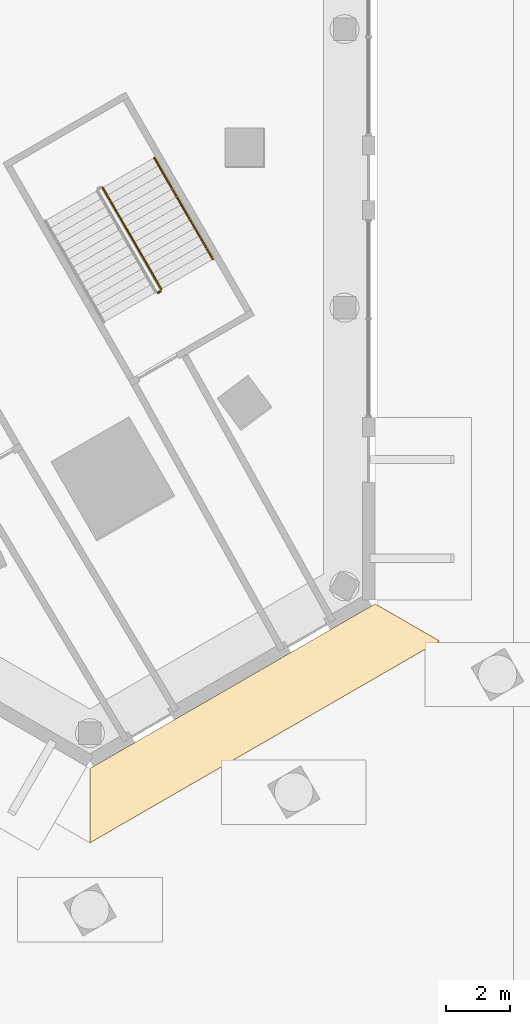
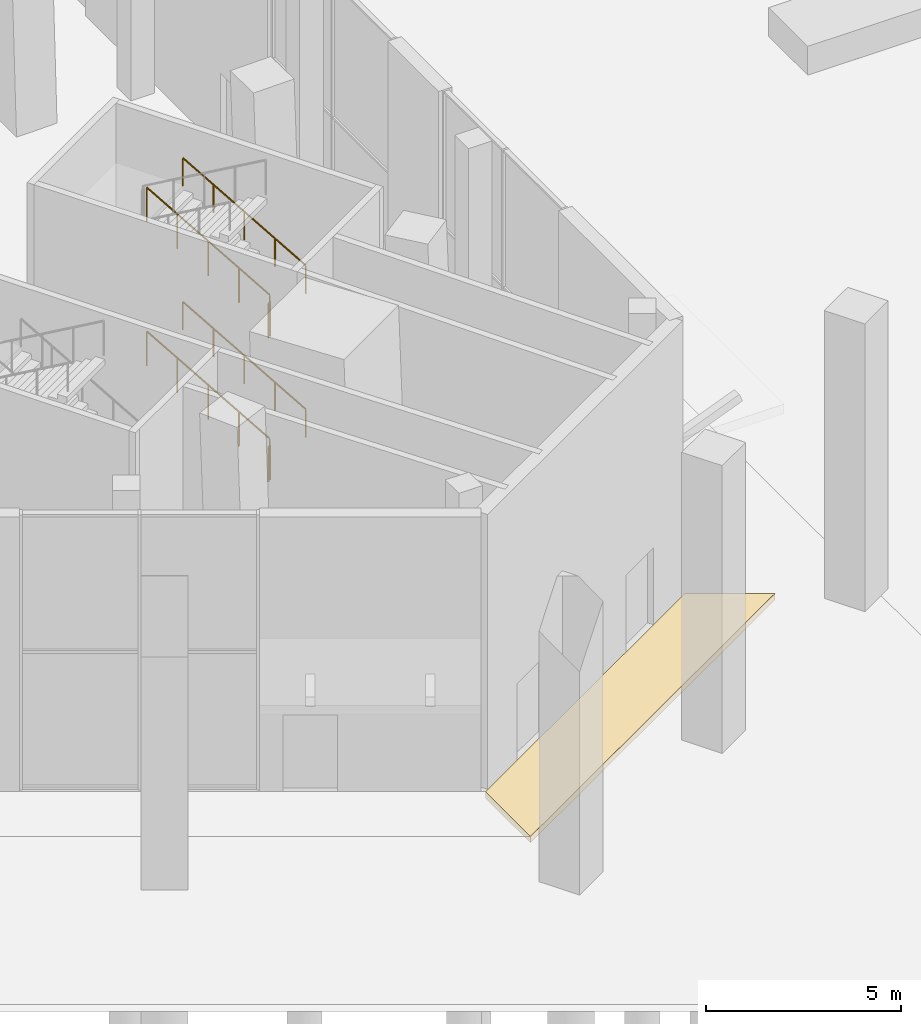
# One storey, part 46 of 63: 6 railings, 1 covering.
"""IFC4 building model written with IfcOpenShell, lengths in metres."""

import ifcopenshell
import ifcopenshell.guid

model = None  # the IFC model being written
_history = None  # IfcOwnerHistory: only IFC2X3 demands one
_inside = {}  # id of a spatial element -> (the spatial element, [elements in it])
_under = {}  # id of a project, library or spatial element -> (it, [spatial elements below it])
_declared = {}  # id of a project -> (the project, [libraries it declares])
_typed = {}  # id of a type object -> (the type object, [elements of that type])
_made_of = {}  # id of a material, layer set ... -> (it, [elements and type objects made of it])


def new_model(schema):
    """Start an empty IFC model of exactly this schema.

    Asked for "IFC4X3", IfcOpenShell would pick the latest addendum, in which some entities
    have other attributes; the version numbers below select the first issue.
    IFC2X3 requires an IfcOwnerHistory on every rooted entity: one is made here for all.
    """
    global model, _history
    if schema == "IFC4X3":
        model = ifcopenshell.file(schema_version=(4, 3, 0, 0))
    else:
        model = ifcopenshell.file(schema=schema)
    _inside.clear()
    _under.clear()
    _declared.clear()
    _typed.clear()
    _made_of.clear()
    _history = None
    if model.schema == "IFC2X3":
        org = make("IfcOrganization", Name="unknown")
        user = make(
            "IfcPersonAndOrganization",
            ThePerson=make("IfcPerson", FamilyName="unknown"),
            TheOrganization=org,
        )
        app = make(
            "IfcApplication",
            ApplicationDeveloper=org,
            Version="unknown",
            ApplicationFullName="unknown",
            ApplicationIdentifier="unknown",
        )
        _history = make(
            "IfcOwnerHistory",
            OwningUser=user,
            OwningApplication=app,
            ChangeAction="ADDED",
            CreationDate=0,
        )
    return model


def make(cls, **values):
    """One entity of the class cls with the attributes given. An attribute that is None is left unset."""
    return model.create_entity(
        cls, **{name: value for name, value in values.items() if value is not None}
    )


def rooted(cls, **values):
    """An entity with a GlobalId (a new one), such as an element, a storey or a relation."""
    return make(cls, GlobalId=ifcopenshell.guid.new(), OwnerHistory=_history, **values)


def si_unit(unit_type, name, prefix=None):
    """IfcSIUnit, for example si_unit("LENGTHUNIT", "METRE", prefix="MILLI")."""
    return make("IfcSIUnit", UnitType=unit_type, Prefix=prefix, Name=name)


def assignment(units):
    """IfcUnitAssignment: the units of a project."""
    return None if units is None else make("IfcUnitAssignment", Units=units)


def point(xyz):
    """IfcCartesianPoint."""
    return None if xyz is None else make("IfcCartesianPoint", Coordinates=xyz)


def direction(xyz):
    """IfcDirection."""
    return None if xyz is None else make("IfcDirection", DirectionRatios=xyz)


def frame(location, z_axis=None, x_axis=None):
    """IfcAxis2Placement3D, a coordinate frame: its origin and axes. An axis left out is left unset."""
    return make(
        "IfcAxis2Placement3D",
        Location=point(location),
        Axis=direction(z_axis),
        RefDirection=direction(x_axis),
    )


def frame_2d(location, x_axis=None):
    """IfcAxis2Placement2D, a coordinate frame in the plane: its origin and x axis."""
    return make(
        "IfcAxis2Placement2D", Location=point(location), RefDirection=direction(x_axis)
    )


def origin():
    """The frame at (0, 0, 0) with its axes left unset."""
    return frame((0.0, 0.0, 0.0))


def origin_2d():
    """The frame at (0, 0) in the plane with its x axis left unset."""
    return frame_2d((0.0, 0.0))


def place(relative_to, where):
    """IfcLocalPlacement: puts the frame where relative to a parent placement (None: the world)."""
    return make(
        "IfcLocalPlacement", PlacementRelTo=relative_to, RelativePlacement=where
    )


def context(
    kind, dimensions, precision=None, world=None, true_north=None, identifier=None
):
    """IfcGeometricRepresentationContext, for example the 3D "Model" context."""
    return make(
        "IfcGeometricRepresentationContext",
        ContextIdentifier=identifier,
        ContextType=kind,
        CoordinateSpaceDimension=dimensions,
        Precision=precision,
        WorldCoordinateSystem=world,
        TrueNorth=true_north,
    )


def subcontext(parent, identifier, kind, view, scale=None):
    """IfcGeometricRepresentationSubContext, for example "Body" below "Model"."""
    return make(
        "IfcGeometricRepresentationSubContext",
        ContextIdentifier=identifier,
        ContextType=kind,
        ParentContext=parent,
        TargetScale=scale,
        TargetView=view,
    )


def project(units=None, contexts=None):
    """IfcProject with its units and contexts."""
    return rooted(
        "IfcProject",
        Name="project",
        RepresentationContexts=contexts,
        UnitsInContext=assignment(units),
    )


def spatial(cls, under=None, at=None, **own):
    """A site, building, storey or space (cls), placed at a placement, below another one or the project."""
    s = rooted(cls, ObjectPlacement=at, **own)
    if under is not None:
        _under.setdefault(under.id(), (under, []))[1].append(s)
    return s


def polyline(points):
    """IfcPolyline through the points."""
    return make("IfcPolyline", Points=[point(p) for p in points])


def profile(cls, at=None, kind="AREA", **sizes):
    """A parametric profile (cls). Its sizes go by their IFC names, for example OverallWidth=200.0."""
    return make(cls, ProfileType=kind, Position=at, **sizes)


def circle(**sizes):
    """IfcCircleProfileDef."""
    return profile("IfcCircleProfileDef", **sizes)


def outline(outer, holes=None, kind="AREA"):
    """IfcArbitraryClosedProfileDef: a profile drawn as a closed curve; with holes, ...WithVoids."""
    if holes is None:
        return make("IfcArbitraryClosedProfileDef", ProfileType=kind, OuterCurve=outer)
    return make(
        "IfcArbitraryProfileDefWithVoids",
        ProfileType=kind,
        OuterCurve=outer,
        InnerCurves=holes,
    )


def extrude(swept, where, along, depth):
    """IfcExtrudedAreaSolid: the profile swept, set in the frame where, extruded along a direction by depth."""
    return make(
        "IfcExtrudedAreaSolid",
        SweptArea=swept,
        Position=where,
        ExtrudedDirection=direction(along),
        Depth=depth,
    )


def shape(context_of_items, identifier, shape_type, items):
    """IfcShapeRepresentation: the items that make up one representation, for example the "Body"."""
    return make(
        "IfcShapeRepresentation",
        ContextOfItems=context_of_items,
        RepresentationIdentifier=identifier,
        RepresentationType=shape_type,
        Items=items,
    )


def material(Name=None, Category=None):
    """IfcMaterial."""
    return make("IfcMaterial", Name=Name, Category=Category)


def layer(
    of_material, thickness, ventilated=None, Name=None, Category=None, Priority=None
):
    """IfcMaterialLayer: one layer of a wall or slab, of a material (None: an air gap)."""
    return make(
        "IfcMaterialLayer",
        Material=of_material,
        LayerThickness=thickness,
        IsVentilated=ventilated,
        Name=Name,
        Category=Category,
        Priority=Priority,
    )


def layer_set(layers, Name=None):
    """IfcMaterialLayerSet."""
    return make("IfcMaterialLayerSet", MaterialLayers=layers, LayerSetName=Name)


def made_of(thing, what):
    """Note that an element or type object is made of a material, layer set ...; save() writes the relation."""
    if what is not None:
        _made_of.setdefault(what.id(), (what, []))[1].append(thing)
    return thing


def type_object(cls, material=None, **own):
    """A type object (cls), such as IfcWallType, which elements share."""
    return made_of(rooted(cls, **own), material)


def element(
    cls,
    number,
    at=None,
    inside=None,
    cuts=None,
    type_object=None,
    material=None,
    context=None,
    identifier="Body",
    shape_type=None,
    held_by="IfcProductDefinitionShape",
    body=None,
    shapes=None,
    **own,
):
    """One element of the class cls, such as IfcWall. Its Tag is "e" and its number.

    at: its placement. inside: the storey or other place that contains it. cuts: it is an
    opening in that element (IfcRelVoidsElement). A single representation is given by context,
    identifier, shape_type and body (its items); several are given by shapes. held_by: the class
    of the entity that holds the representations. save() writes the other relations.
    """
    e = rooted(cls, Tag="e%d" % number, ObjectPlacement=at, **own)
    if body is not None:
        shapes = [shape(context, identifier, shape_type, body)]
    if shapes is not None:
        e.Representation = make(held_by, Representations=shapes)
    if inside is not None:
        _inside.setdefault(inside.id(), (inside, []))[1].append(e)
    if cuts is not None:
        rooted(
            "IfcRelVoidsElement", RelatingBuildingElement=cuts, RelatedOpeningElement=e
        )
    if type_object is not None:
        _typed.setdefault(type_object.id(), (type_object, []))[1].append(e)
    return made_of(e, material)


def aggregate(whole, parts):
    """IfcRelAggregates: a whole, such as a stair, and the parts it consists of."""
    return rooted("IfcRelAggregates", RelatingObject=whole, RelatedObjects=parts)


def save(model, path):
    """Write the relations noted so far, then the file.

    IfcRelAggregates (storeys below a building ...), IfcRelContainedInSpatialStructure (elements
    in a storey), IfcRelDefinesByType, IfcRelAssociatesMaterial and IfcRelDeclares: one each for
    every whole, place, type object, material and project.
    """
    for whole, parts in _under.values():
        aggregate(whole, parts)
    for where, things in _inside.values():
        rooted(
            "IfcRelContainedInSpatialStructure",
            RelatedElements=things,
            RelatingStructure=where,
        )
    for kind, things in _typed.values():
        rooted("IfcRelDefinesByType", RelatedObjects=things, RelatingType=kind)
    for what, things in _made_of.values():
        rooted("IfcRelAssociatesMaterial", RelatedObjects=things, RelatingMaterial=what)
    for by, libraries in _declared.values():
        rooted("IfcRelDeclares", RelatingContext=by, RelatedDefinitions=libraries)
    model.write(path)


model = new_model("IFC4")

# Units and contexts
model_context = context("Model", 3, precision=1e-05, world=origin(), true_north=direction((0.0, 1.0)))
body_context = subcontext(model_context, "Body", "Model", "MODEL_VIEW")
ifc_project = project(units=[si_unit("LENGTHUNIT", "METRE"), si_unit("AREAUNIT", "SQUARE_METRE"), si_unit("VOLUMEUNIT", "CUBIC_METRE"), si_unit("PLANEANGLEUNIT", "RADIAN"), si_unit("MASSUNIT", "GRAM", prefix="KILO")], contexts=[model_context])

# Site, building, storey
site_placement = place(None, origin())
site = spatial("IfcSite", under=ifc_project, at=site_placement, CompositionType="ELEMENT")
building_placement = place(site_placement, origin())
building = spatial("IfcBuilding", under=site, at=building_placement, Name="Jabali Bay Hotel Tower and Convention Centre", CompositionType="ELEMENT")
storey_placement = place(building_placement, origin())
storey = spatial("IfcBuildingStorey", under=building, at=storey_placement, Name="L00", CompositionType="ELEMENT", Elevation=0.0)

# Covering
ifc_material_1 = material(Name="Precast concrete paving flags", Category="concrete")
ifc_layer = layer(ifc_material_1, 0.199951171875)
ifc_layer_set = layer_set([ifc_layer], Name="Precast concrete paving flags")
covering_type = type_object("IfcCoveringType", Name="Podium apron paving 200", PredefinedType="USERDEFINED", material=ifc_layer_set)
covering_placement = place(storey_placement, frame((0.0, 0.0, -0.199951171875)))
element("IfcCovering", 1, at=covering_placement, inside=storey, type_object=covering_type, Name="Apron paving south-east chamfer", ObjectType="PAVING", PredefinedType="USERDEFINED", context=body_context, shape_type="SweptSolid", body=[
    extrude(outline(polyline([(94.83984375, 35.405517578125), (103.699951171875, 40.52099609375), (105.699951171875, 39.366455078125), (94.83984375, 33.09619140625), (94.83984375, 35.405517578125)])), origin(), (0.0, 0.0, 1.0), 0.199951171875),
])

# Railings
ifc_material_2 = material(Name="Steel Q355B", Category="steel")
railing_type_1 = type_object("IfcRailingType", Name="Stair guard 1100", PredefinedType="GUARDRAIL", material=ifc_material_2)
railing_1_placement = place(storey_placement, frame((97.0556640625, 50.298583984375, 0.16064453125)))
element("IfcRailing", 2, at=railing_1_placement, inside=storey, type_object=railing_type_1, Name="L00 PS5 stair guard 1", PredefinedType="GUARDRAIL", context=body_context, shape_type="SweptSolid", body=[
    extrude(circle(Radius=0.02392578125, at=origin_2d()), frame((0.0, 0.0, 1.076171875), z_axis=(-0.433652999409, 0.751083504812, 0.49781386572), x_axis=(-0.866018046521, -0.500012742938, 0.0)), (0.0, 0.0, 1.0), 4.197021484375),
    extrude(circle(Radius=0.02099609375, at=origin_2d()), origin(), (0.0, 0.0, 1.0), 1.052001953125),
    extrude(circle(Radius=0.02099609375, at=origin_2d()), frame((-0.455078125, 0.7880859375, 0.5224609375)), (0.0, 0.0, 1.0), 1.052001953125),
    extrude(circle(Radius=0.02099609375, at=origin_2d()), frame((-0.91015625, 1.576171875, 1.044677734375)), (0.0, 0.0, 1.0), 1.052001953125),
    extrude(circle(Radius=0.02099609375, at=origin_2d()), frame((-1.364990234375, 2.3642578125, 1.56689453125)), (0.0, 0.0, 1.0), 1.052001953125),
    extrude(circle(Radius=0.02099609375, at=origin_2d()), frame((-1.820068359375, 3.15234375, 2.08935546875)), (0.0, 0.0, 1.0), 1.052001953125),
])
railing_2_placement = place(storey_placement, frame((97.037353515625, 50.230224609375, 4.5)))
element("IfcRailing", 3, at=railing_2_placement, inside=storey, type_object=railing_type_1, Name="L00 PS5 stair guard 4", PredefinedType="GUARDRAIL", context=body_context, shape_type="SweptSolid", body=[
    extrude(circle(Radius=0.02392578125, at=origin_2d()), frame((0.0, 0.0, 1.076171875), z_axis=(-0.865982457891, -0.500074377092, 0.0), x_axis=(0.500074377092, -0.865982457891, 0.0)), (0.0, 0.0, 1.0), 0.10009765625),
    extrude(circle(Radius=0.02099609375, at=origin_2d()), origin(), (0.0, 0.0, 1.0), 1.052001953125),
    extrude(circle(Radius=0.02099609375, at=origin_2d()), frame((-0.086669921875, -0.050048828125, 0.0)), (0.0, 0.0, 1.0), 1.052001953125),
])
railing_3_placement = place(storey_placement, frame((97.0556640625, 50.298583984375, 4.66064453125)))
element("IfcRailing", 4, at=railing_3_placement, inside=storey, type_object=railing_type_1, Name="L00 PS5 stair guard 5", PredefinedType="GUARDRAIL", context=body_context, shape_type="SweptSolid", body=[
    extrude(circle(Radius=0.02392578125, at=origin_2d()), frame((0.0, 0.0, 1.076171875), z_axis=(-0.433652999409, 0.751083504812, 0.49781386572), x_axis=(-0.866018046521, -0.500012742938, 0.0)), (0.0, 0.0, 1.0), 4.197021484375),
    extrude(circle(Radius=0.02099609375, at=origin_2d()), origin(), (0.0, 0.0, 1.0), 1.052001953125),
    extrude(circle(Radius=0.02099609375, at=origin_2d()), frame((-0.455078125, 0.7880859375, 0.5224609375)), (0.0, 0.0, 1.0), 1.052001953125),
    extrude(circle(Radius=0.02099609375, at=origin_2d()), frame((-0.91015625, 1.576171875, 1.044677734375)), (0.0, 0.0, 1.0), 1.052001953125),
    extrude(circle(Radius=0.02099609375, at=origin_2d()), frame((-1.364990234375, 2.3642578125, 1.56689453125)), (0.0, 0.0, 1.0), 1.052001953125),
    extrude(circle(Radius=0.02099609375, at=origin_2d()), frame((-1.820068359375, 3.15234375, 2.08935546875)), (0.0, 0.0, 1.0), 1.052001953125),
])
railing_4_placement = place(storey_placement, frame((97.037353515625, 50.230224609375, 0.0)))
element("IfcRailing", 5, at=railing_4_placement, inside=storey, type_object=railing_type_1, Name="L00 PS5 stair guard 8", PredefinedType="GUARDRAIL", context=body_context, shape_type="SweptSolid", body=[
    extrude(circle(Radius=0.02392578125, at=origin_2d()), frame((0.0, 0.0, 1.076171875), z_axis=(-0.865982457891, -0.500074377092, 0.0), x_axis=(0.500074377092, -0.865982457891, 0.0)), (0.0, 0.0, 1.0), 0.10009765625),
    extrude(circle(Radius=0.02099609375, at=origin_2d()), origin(), (0.0, 0.0, 1.0), 1.052001953125),
    extrude(circle(Radius=0.02099609375, at=origin_2d()), frame((-0.086669921875, -0.050048828125, 0.0)), (0.0, 0.0, 1.0), 1.052001953125),
])
railing_type_2 = type_object("IfcRailingType", Name="Stair handrail 900", PredefinedType="HANDRAIL", material=ifc_material_2)
for number, where, name in (
    (6, (98.65771484375, 51.2236328125, 0.16064453125), "L00 PS5 stair handrail 1"),
    (7, (98.65771484375, 51.2236328125, 4.66064453125), "L00 PS5 stair handrail 3"),
):
    element("IfcRailing", number, at=place(storey_placement, frame(where)), inside=storey, type_object=railing_type_2, Name=name, PredefinedType="HANDRAIL", context=body_context, shape_type="SweptSolid", body=[
        extrude(circle(Radius=0.02392578125, at=origin_2d()), frame((0.0, 0.0, 0.8759765625), z_axis=(-0.433652999409, 0.751083504812, 0.49781386572), x_axis=(-0.866018046521, -0.500012742938, 0.0)), (0.0, 0.0, 1.0), 4.197021484375),
        extrude(circle(Radius=0.02099609375, at=origin_2d()), origin(), (0.0, 0.0, 1.0), 0.851806640625),
        extrude(circle(Radius=0.02099609375, at=origin_2d()), frame((-0.455078125, 0.7880859375, 0.5224609375)), (0.0, 0.0, 1.0), 0.851806640625),
        extrude(circle(Radius=0.02099609375, at=origin_2d()), frame((-0.91015625, 1.576171875, 1.044677734375)), (0.0, 0.0, 1.0), 0.851806640625),
        extrude(circle(Radius=0.02099609375, at=origin_2d()), frame((-1.364990234375, 2.3642578125, 1.56689453125)), (0.0, 0.0, 1.0), 0.851806640625),
        extrude(circle(Radius=0.02099609375, at=origin_2d()), frame((-1.820068359375, 3.15234375, 2.08935546875)), (0.0, 0.0, 1.0), 0.851806640625),
    ])

save(model, "model.ifc")
